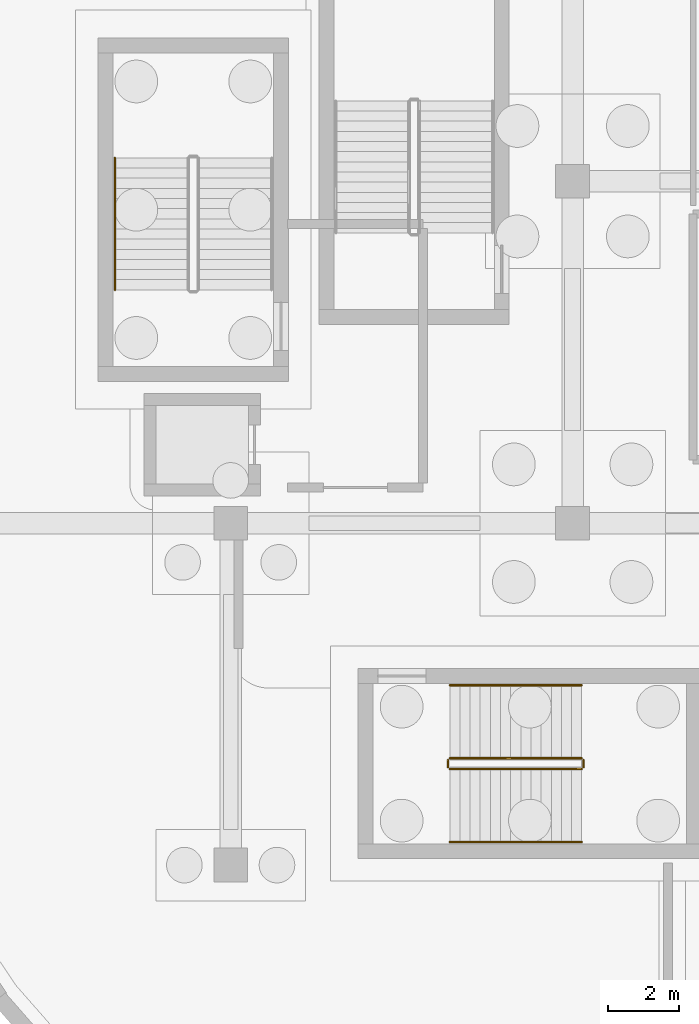
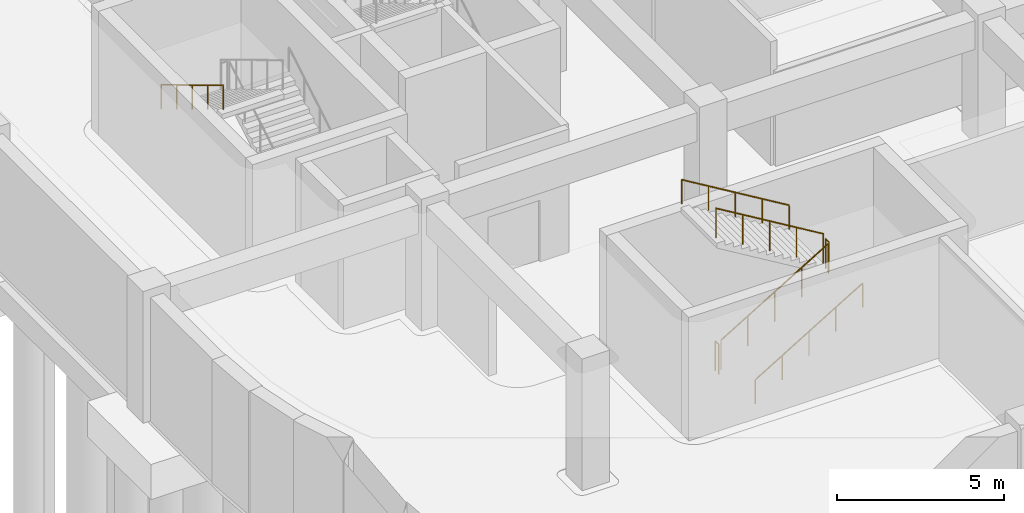
# One storey, part 21 of 47: 7 railings.
"""IFC4 building model written with IfcOpenShell, lengths in metres."""

import ifcopenshell
import ifcopenshell.guid

model = None  # the IFC model being written
_history = None  # IfcOwnerHistory: only IFC2X3 demands one
_inside = {}  # id of a spatial element -> (the spatial element, [elements in it])
_under = {}  # id of a project, library or spatial element -> (it, [spatial elements below it])
_declared = {}  # id of a project -> (the project, [libraries it declares])
_typed = {}  # id of a type object -> (the type object, [elements of that type])
_made_of = {}  # id of a material, layer set ... -> (it, [elements and type objects made of it])


def new_model(schema):
    """Start an empty IFC model of exactly this schema.

    Asked for "IFC4X3", IfcOpenShell would pick the latest addendum, in which some entities
    have other attributes; the version numbers below select the first issue.
    IFC2X3 requires an IfcOwnerHistory on every rooted entity: one is made here for all.
    """
    global model, _history
    if schema == "IFC4X3":
        model = ifcopenshell.file(schema_version=(4, 3, 0, 0))
    else:
        model = ifcopenshell.file(schema=schema)
    _inside.clear()
    _under.clear()
    _declared.clear()
    _typed.clear()
    _made_of.clear()
    _history = None
    if model.schema == "IFC2X3":
        org = make("IfcOrganization", Name="unknown")
        user = make(
            "IfcPersonAndOrganization",
            ThePerson=make("IfcPerson", FamilyName="unknown"),
            TheOrganization=org,
        )
        app = make(
            "IfcApplication",
            ApplicationDeveloper=org,
            Version="unknown",
            ApplicationFullName="unknown",
            ApplicationIdentifier="unknown",
        )
        _history = make(
            "IfcOwnerHistory",
            OwningUser=user,
            OwningApplication=app,
            ChangeAction="ADDED",
            CreationDate=0,
        )
    return model


def make(cls, **values):
    """One entity of the class cls with the attributes given. An attribute that is None is left unset."""
    return model.create_entity(
        cls, **{name: value for name, value in values.items() if value is not None}
    )


def rooted(cls, **values):
    """An entity with a GlobalId (a new one), such as an element, a storey or a relation."""
    return make(cls, GlobalId=ifcopenshell.guid.new(), OwnerHistory=_history, **values)


def si_unit(unit_type, name, prefix=None):
    """IfcSIUnit, for example si_unit("LENGTHUNIT", "METRE", prefix="MILLI")."""
    return make("IfcSIUnit", UnitType=unit_type, Prefix=prefix, Name=name)


def assignment(units):
    """IfcUnitAssignment: the units of a project."""
    return None if units is None else make("IfcUnitAssignment", Units=units)


def point(xyz):
    """IfcCartesianPoint."""
    return None if xyz is None else make("IfcCartesianPoint", Coordinates=xyz)


def direction(xyz):
    """IfcDirection."""
    return None if xyz is None else make("IfcDirection", DirectionRatios=xyz)


def frame(location, z_axis=None, x_axis=None):
    """IfcAxis2Placement3D, a coordinate frame: its origin and axes. An axis left out is left unset."""
    return make(
        "IfcAxis2Placement3D",
        Location=point(location),
        Axis=direction(z_axis),
        RefDirection=direction(x_axis),
    )


def frame_2d(location, x_axis=None):
    """IfcAxis2Placement2D, a coordinate frame in the plane: its origin and x axis."""
    return make(
        "IfcAxis2Placement2D", Location=point(location), RefDirection=direction(x_axis)
    )


def origin():
    """The frame at (0, 0, 0) with its axes left unset."""
    return frame((0.0, 0.0, 0.0))


def origin_2d():
    """The frame at (0, 0) in the plane with its x axis left unset."""
    return frame_2d((0.0, 0.0))


def place(relative_to, where):
    """IfcLocalPlacement: puts the frame where relative to a parent placement (None: the world)."""
    return make(
        "IfcLocalPlacement", PlacementRelTo=relative_to, RelativePlacement=where
    )


def context(
    kind, dimensions, precision=None, world=None, true_north=None, identifier=None
):
    """IfcGeometricRepresentationContext, for example the 3D "Model" context."""
    return make(
        "IfcGeometricRepresentationContext",
        ContextIdentifier=identifier,
        ContextType=kind,
        CoordinateSpaceDimension=dimensions,
        Precision=precision,
        WorldCoordinateSystem=world,
        TrueNorth=true_north,
    )


def subcontext(parent, identifier, kind, view, scale=None):
    """IfcGeometricRepresentationSubContext, for example "Body" below "Model"."""
    return make(
        "IfcGeometricRepresentationSubContext",
        ContextIdentifier=identifier,
        ContextType=kind,
        ParentContext=parent,
        TargetScale=scale,
        TargetView=view,
    )


def project(units=None, contexts=None):
    """IfcProject with its units and contexts."""
    return rooted(
        "IfcProject",
        Name="project",
        RepresentationContexts=contexts,
        UnitsInContext=assignment(units),
    )


def spatial(cls, under=None, at=None, **own):
    """A site, building, storey or space (cls), placed at a placement, below another one or the project."""
    s = rooted(cls, ObjectPlacement=at, **own)
    if under is not None:
        _under.setdefault(under.id(), (under, []))[1].append(s)
    return s


def profile(cls, at=None, kind="AREA", **sizes):
    """A parametric profile (cls). Its sizes go by their IFC names, for example OverallWidth=200.0."""
    return make(cls, ProfileType=kind, Position=at, **sizes)


def circle(**sizes):
    """IfcCircleProfileDef."""
    return profile("IfcCircleProfileDef", **sizes)


def extrude(swept, where, along, depth):
    """IfcExtrudedAreaSolid: the profile swept, set in the frame where, extruded along a direction by depth."""
    return make(
        "IfcExtrudedAreaSolid",
        SweptArea=swept,
        Position=where,
        ExtrudedDirection=direction(along),
        Depth=depth,
    )


def shape(context_of_items, identifier, shape_type, items):
    """IfcShapeRepresentation: the items that make up one representation, for example the "Body"."""
    return make(
        "IfcShapeRepresentation",
        ContextOfItems=context_of_items,
        RepresentationIdentifier=identifier,
        RepresentationType=shape_type,
        Items=items,
    )


def material(Name=None, Category=None):
    """IfcMaterial."""
    return make("IfcMaterial", Name=Name, Category=Category)


def made_of(thing, what):
    """Note that an element or type object is made of a material, layer set ...; save() writes the relation."""
    if what is not None:
        _made_of.setdefault(what.id(), (what, []))[1].append(thing)
    return thing


def type_object(cls, material=None, **own):
    """A type object (cls), such as IfcWallType, which elements share."""
    return made_of(rooted(cls, **own), material)


def element(
    cls,
    number,
    at=None,
    inside=None,
    cuts=None,
    type_object=None,
    material=None,
    context=None,
    identifier="Body",
    shape_type=None,
    held_by="IfcProductDefinitionShape",
    body=None,
    shapes=None,
    **own,
):
    """One element of the class cls, such as IfcWall. Its Tag is "e" and its number.

    at: its placement. inside: the storey or other place that contains it. cuts: it is an
    opening in that element (IfcRelVoidsElement). A single representation is given by context,
    identifier, shape_type and body (its items); several are given by shapes. held_by: the class
    of the entity that holds the representations. save() writes the other relations.
    """
    e = rooted(cls, Tag="e%d" % number, ObjectPlacement=at, **own)
    if body is not None:
        shapes = [shape(context, identifier, shape_type, body)]
    if shapes is not None:
        e.Representation = make(held_by, Representations=shapes)
    if inside is not None:
        _inside.setdefault(inside.id(), (inside, []))[1].append(e)
    if cuts is not None:
        rooted(
            "IfcRelVoidsElement", RelatingBuildingElement=cuts, RelatedOpeningElement=e
        )
    if type_object is not None:
        _typed.setdefault(type_object.id(), (type_object, []))[1].append(e)
    return made_of(e, material)


def aggregate(whole, parts):
    """IfcRelAggregates: a whole, such as a stair, and the parts it consists of."""
    return rooted("IfcRelAggregates", RelatingObject=whole, RelatedObjects=parts)


def save(model, path):
    """Write the relations noted so far, then the file.

    IfcRelAggregates (storeys below a building ...), IfcRelContainedInSpatialStructure (elements
    in a storey), IfcRelDefinesByType, IfcRelAssociatesMaterial and IfcRelDeclares: one each for
    every whole, place, type object, material and project.
    """
    for whole, parts in _under.values():
        aggregate(whole, parts)
    for where, things in _inside.values():
        rooted(
            "IfcRelContainedInSpatialStructure",
            RelatedElements=things,
            RelatingStructure=where,
        )
    for kind, things in _typed.values():
        rooted("IfcRelDefinesByType", RelatedObjects=things, RelatingType=kind)
    for what, things in _made_of.values():
        rooted("IfcRelAssociatesMaterial", RelatedObjects=things, RelatingMaterial=what)
    for by, libraries in _declared.values():
        rooted("IfcRelDeclares", RelatingContext=by, RelatedDefinitions=libraries)
    model.write(path)


model = new_model("IFC4")

# Units and contexts
model_context = context("Model", 3, precision=1e-05, world=origin(), true_north=direction((0.0, 1.0)))
body_context = subcontext(model_context, "Body", "Model", "MODEL_VIEW")
ifc_project = project(units=[si_unit("LENGTHUNIT", "METRE"), si_unit("AREAUNIT", "SQUARE_METRE"), si_unit("VOLUMEUNIT", "CUBIC_METRE"), si_unit("PLANEANGLEUNIT", "RADIAN"), si_unit("MASSUNIT", "GRAM", prefix="KILO")], contexts=[model_context])

# Site, building, storey
site_placement = place(None, origin())
site = spatial("IfcSite", under=ifc_project, at=site_placement, CompositionType="ELEMENT")
building_placement = place(site_placement, origin())
building = spatial("IfcBuilding", under=site, at=building_placement, Name="Cendralis Terraced Arcade", CompositionType="ELEMENT")
storey_placement = place(building_placement, frame((0.0, 0.0, -4.800048828125)))
storey = spatial("IfcBuildingStorey", under=building, at=storey_placement, Name="B1", CompositionType="ELEMENT", Elevation=-4.800048828125)

# Railings
ifc_material = material(Name="Brushed stainless steel AISI 316", Category="steel")
railing_type_1 = type_object("IfcRailingType", Name="RL-STAIR-GUARD-1100", PredefinedType="GUARDRAIL", material=ifc_material)
railing_1_placement = place(storey_placement, frame((15.75, 12.300048828125, 0.17138671875)))
element("IfcRailing", 1, at=railing_1_placement, inside=storey, type_object=railing_type_1, Name="B1 ST-02 stair guard 1", PredefinedType="GUARDRAIL", context=body_context, shape_type="SweptSolid", body=[
    extrude(circle(Radius=0.02392578125, at=origin_2d()), frame((0.0, 0.0, 1.076171875), z_axis=(0.856909459561, 0.0, 0.515466951525), x_axis=(0.0, 1.0, 0.0)), (0.0, 0.0, 1.0), 4.32373046875),
    extrude(circle(Radius=0.02099609375, at=origin_2d()), origin(), (0.0, 0.0, 1.0), 1.052001953125),
    extrude(circle(Radius=0.02099609375, at=origin_2d()), frame((0.92626953125, 0.0, 0.55712890625)), (0.0, 0.0, 1.0), 1.052001953125),
    extrude(circle(Radius=0.02099609375, at=origin_2d()), frame((1.8525390625, 0.0, 1.1142578125)), (0.0, 0.0, 1.0), 1.052001953125),
    extrude(circle(Radius=0.02099609375, at=origin_2d()), frame((2.77880859375, 0.0, 1.671630859375)), (0.0, 0.0, 1.0), 1.052001953125),
    extrude(circle(Radius=0.02099609375, at=origin_2d()), frame((3.705078125, 0.0, 2.228759765625)), (0.0, 0.0, 1.0), 1.052001953125),
])
railing_2_placement = place(storey_placement, frame((19.5048828125, 12.35009765625, 2.400146484375)))
element("IfcRailing", 2, at=railing_2_placement, inside=storey, type_object=railing_type_1, Name="B1 ST-02 stair guard 2", PredefinedType="GUARDRAIL", context=body_context, shape_type="SweptSolid", body=[
    extrude(circle(Radius=0.02392578125, at=origin_2d()), frame((0.0, 0.0, 1.076171875), z_axis=(0.0, 1.0, 0.0), x_axis=(-1.0, 0.0, 0.0)), (0.0, 0.0, 1.0), 0.199951171875),
    extrude(circle(Radius=0.02099609375, at=origin_2d()), origin(), (0.0, 0.0, 1.0), 1.052001953125),
    extrude(circle(Radius=0.02099609375, at=origin_2d()), frame((0.0, 0.199951171875, 0.0)), (0.0, 0.0, 1.0), 1.052001953125),
])
railing_3_placement = place(storey_placement, frame((19.455078125, 12.60009765625, 2.571533203125)))
element("IfcRailing", 3, at=railing_3_placement, inside=storey, type_object=railing_type_1, Name="B1 ST-02 stair guard 3", PredefinedType="GUARDRAIL", context=body_context, shape_type="SweptSolid", body=[
    extrude(circle(Radius=0.02392578125, at=origin_2d()), frame((0.0, 0.0, 1.076171875), z_axis=(-0.856934400257, 0.0, 0.515425487977), x_axis=(0.0, -1.0, 0.0)), (0.0, 0.0, 1.0), 4.32373046875),
    extrude(circle(Radius=0.02099609375, at=origin_2d()), origin(), (0.0, 0.0, 1.0), 1.052001953125),
    extrude(circle(Radius=0.02099609375, at=origin_2d()), frame((-0.92626953125, 0.0, 0.55712890625)), (0.0, 0.0, 1.0), 1.052001953125),
    extrude(circle(Radius=0.02099609375, at=origin_2d()), frame((-1.8525390625, 0.0, 1.1142578125)), (0.0, 0.0, 1.0), 1.052001953125),
    extrude(circle(Radius=0.02099609375, at=origin_2d()), frame((-2.77880859375, 0.0, 1.67138671875)), (0.0, 0.0, 1.0), 1.052001953125),
    extrude(circle(Radius=0.02099609375, at=origin_2d()), frame((-3.705078125, 0.0, 2.228515625)), (0.0, 0.0, 1.0), 1.052001953125),
])
railing_4_placement = place(storey_placement, frame((15.699951171875, 12.35009765625, 0.0)))
element("IfcRailing", 4, at=railing_4_placement, inside=storey, type_object=railing_type_1, Name="B1 ST-02 stair guard 4", PredefinedType="GUARDRAIL", context=body_context, shape_type="SweptSolid", body=[
    extrude(circle(Radius=0.02392578125, at=origin_2d()), frame((0.0, 0.0, 1.076171875), z_axis=(0.0, 1.0, 0.0), x_axis=(-1.0, 0.0, 0.0)), (0.0, 0.0, 1.0), 0.199951171875),
    extrude(circle(Radius=0.02099609375, at=origin_2d()), origin(), (0.0, 0.0, 1.0), 1.052001953125),
    extrude(circle(Radius=0.02099609375, at=origin_2d()), frame((0.0, 0.199951171875, 0.0)), (0.0, 0.0, 1.0), 1.052001953125),
])
railing_type_2 = type_object("IfcRailingType", Name="RL-STAIR-HAND-900", PredefinedType="HANDRAIL", material=ifc_material)
railing_5_placement = place(storey_placement, frame((6.35009765625, 29.455078125, 2.571533203125)))
element("IfcRailing", 5, at=railing_5_placement, inside=storey, type_object=railing_type_2, Name="B1 ST-01 stair handrail 2", PredefinedType="HANDRAIL", context=body_context, shape_type="SweptSolid", body=[
    extrude(circle(Radius=0.02392578125, at=origin_2d()), frame((0.0, 0.0, 0.8759765625), z_axis=(0.0, -0.856934400257, 0.515425487977), x_axis=(1.0, 0.0, 0.0)), (0.0, 0.0, 1.0), 4.32373046875),
    extrude(circle(Radius=0.02099609375, at=origin_2d()), origin(), (0.0, 0.0, 1.0), 0.851806640625),
    extrude(circle(Radius=0.02099609375, at=origin_2d()), frame((0.0, -0.92626953125, 0.55712890625)), (0.0, 0.0, 1.0), 0.851806640625),
    extrude(circle(Radius=0.02099609375, at=origin_2d()), frame((0.0, -1.8525390625, 1.1142578125)), (0.0, 0.0, 1.0), 0.851806640625),
    extrude(circle(Radius=0.02099609375, at=origin_2d()), frame((0.0, -2.77880859375, 1.67138671875)), (0.0, 0.0, 1.0), 0.851806640625),
    extrude(circle(Radius=0.02099609375, at=origin_2d()), frame((0.0, -3.705078125, 2.228515625)), (0.0, 0.0, 1.0), 0.851806640625),
])
railing_6_placement = place(storey_placement, frame((15.75, 10.25, 0.17138671875)))
element("IfcRailing", 6, at=railing_6_placement, inside=storey, type_object=railing_type_2, Name="B1 ST-02 stair handrail 1", PredefinedType="HANDRAIL", context=body_context, shape_type="SweptSolid", body=[
    extrude(circle(Radius=0.02392578125, at=origin_2d()), frame((0.0, 0.0, 0.8759765625), z_axis=(0.856909459561, 0.0, 0.515466951525), x_axis=(0.0, 1.0, 0.0)), (0.0, 0.0, 1.0), 4.32373046875),
    extrude(circle(Radius=0.02099609375, at=origin_2d()), origin(), (0.0, 0.0, 1.0), 0.851806640625),
    extrude(circle(Radius=0.02099609375, at=origin_2d()), frame((0.92626953125, 0.0, 0.55712890625)), (0.0, 0.0, 1.0), 0.851806640625),
    extrude(circle(Radius=0.02099609375, at=origin_2d()), frame((1.8525390625, 0.0, 1.1142578125)), (0.0, 0.0, 1.0), 0.851806640625),
    extrude(circle(Radius=0.02099609375, at=origin_2d()), frame((2.77880859375, 0.0, 1.671630859375)), (0.0, 0.0, 1.0), 0.851806640625),
    extrude(circle(Radius=0.02099609375, at=origin_2d()), frame((3.705078125, 0.0, 2.228759765625)), (0.0, 0.0, 1.0), 0.851806640625),
])
railing_7_placement = place(storey_placement, frame((19.455078125, 14.64990234375, 2.571533203125)))
element("IfcRailing", 7, at=railing_7_placement, inside=storey, type_object=railing_type_2, Name="B1 ST-02 stair handrail 2", PredefinedType="HANDRAIL", context=body_context, shape_type="SweptSolid", body=[
    extrude(circle(Radius=0.02392578125, at=origin_2d()), frame((0.0, 0.0, 0.8759765625), z_axis=(-0.856934400257, 0.0, 0.515425487977), x_axis=(0.0, -1.0, 0.0)), (0.0, 0.0, 1.0), 4.32373046875),
    extrude(circle(Radius=0.02099609375, at=origin_2d()), origin(), (0.0, 0.0, 1.0), 0.851806640625),
    extrude(circle(Radius=0.02099609375, at=origin_2d()), frame((-0.92626953125, 0.0, 0.55712890625)), (0.0, 0.0, 1.0), 0.851806640625),
    extrude(circle(Radius=0.02099609375, at=origin_2d()), frame((-1.8525390625, 0.0, 1.1142578125)), (0.0, 0.0, 1.0), 0.851806640625),
    extrude(circle(Radius=0.02099609375, at=origin_2d()), frame((-2.77880859375, 0.0, 1.67138671875)), (0.0, 0.0, 1.0), 0.851806640625),
    extrude(circle(Radius=0.02099609375, at=origin_2d()), frame((-3.705078125, 0.0, 2.228515625)), (0.0, 0.0, 1.0), 0.851806640625),
])

save(model, "model.ifc")
